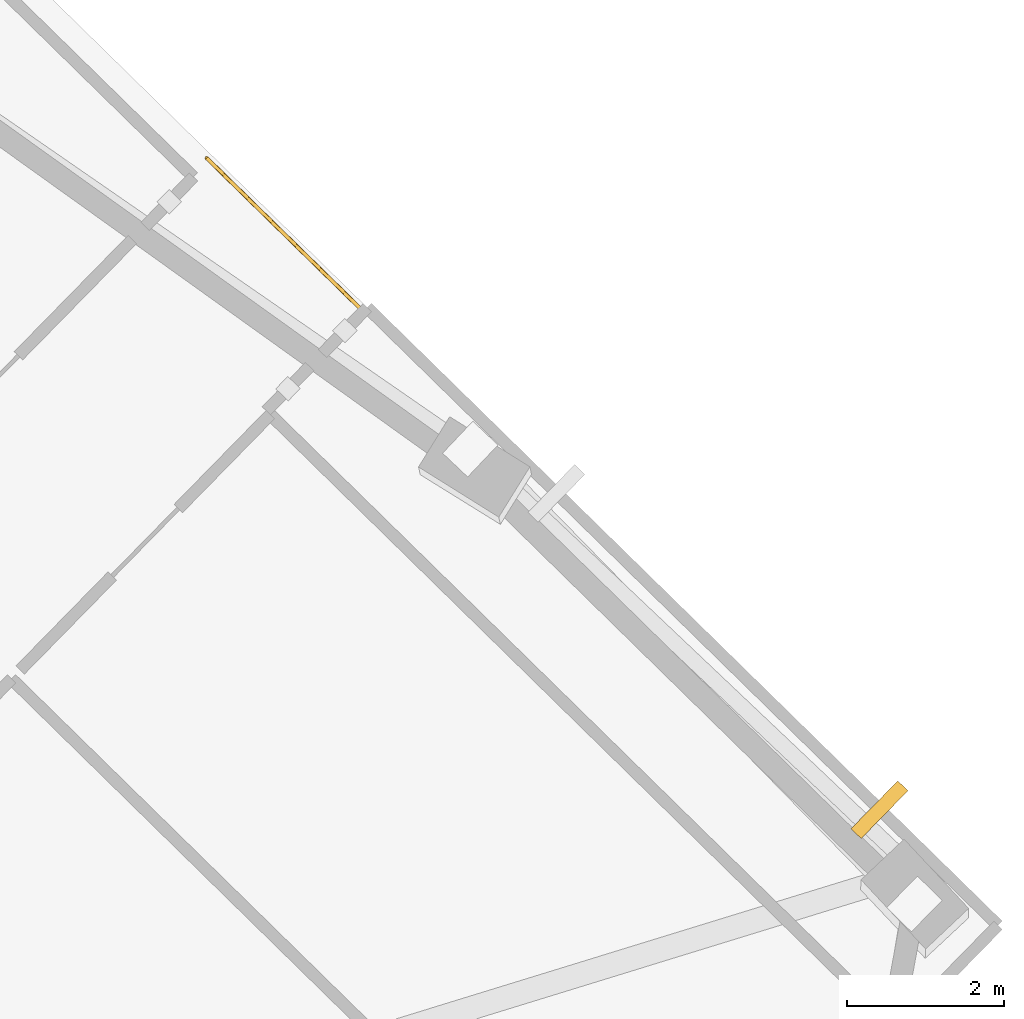
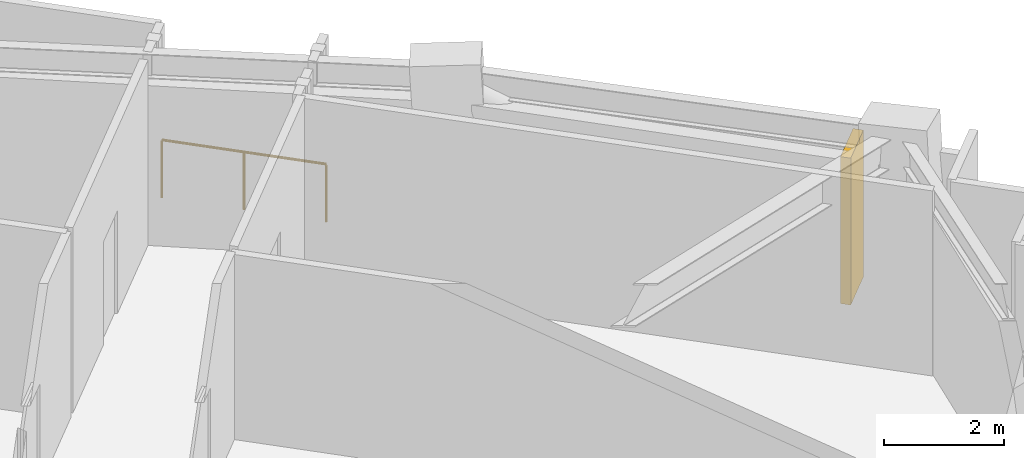
# One storey, part 12 of 12: 1 railing, 1 shading device.
"""IFC4 building model written with IfcOpenShell, lengths in metres."""

from ifc_helpers import new_model, si_unit, direction, frame, origin, origin_2d, place, context, subcontext, project, spatial, rectangle, circle, extrude, material, layer, layer_set, type_object, element, save


model = new_model("IFC4")

# Units and contexts
model_context = context("Model", 3, precision=1e-05, world=origin(), true_north=direction((0.0, 1.0)))
body_context = subcontext(model_context, "Body", "Model", "MODEL_VIEW")
ifc_project = project(units=[si_unit("LENGTHUNIT", "METRE"), si_unit("AREAUNIT", "SQUARE_METRE"), si_unit("VOLUMEUNIT", "CUBIC_METRE"), si_unit("PLANEANGLEUNIT", "RADIAN"), si_unit("MASSUNIT", "GRAM", prefix="KILO")], contexts=[model_context])

# Site, building, storey
site_placement = place(None, origin())
site = spatial("IfcSite", under=ifc_project, at=site_placement, CompositionType="ELEMENT")
building_placement = place(site_placement, origin())
building = spatial("IfcBuilding", under=site, at=building_placement, Name="Gaonmaruhae Medical Tower", CompositionType="ELEMENT")
storey_placement = place(building_placement, frame((0.0, 0.0, 219.199951171875)))
storey = spatial("IfcBuildingStorey", under=building, at=storey_placement, Name="L52", CompositionType="ELEMENT", Elevation=219.199951171875)

# Railing
ifc_material_1 = material(Name="Stainless steel 316L and laminated safety glass", Category="steel")
ifc_layer = layer(ifc_material_1, 0.080078125)
ifc_layer_set = layer_set([ifc_layer], Name="Stainless steel 316L and laminated safety glass")
railing_type = type_object("IfcRailingType", Name="GD-120 Outdoor Terrace Safety Glass & Steel Balustrade", PredefinedType="BALUSTRADE", material=ifc_layer_set)
railing_placement = place(storey_placement, frame((49.72314453125, 32.98681640625, 0.0)))
element("IfcRailing", 1, at=railing_placement, inside=storey, type_object=railing_type, Name="L52 Perimeter Slab Edge Safety Balustrade 02", PredefinedType="BALUSTRADE", context=body_context, shape_type="SweptSolid", body=[
    extrude(circle(Radius=0.02392578125, at=origin_2d()), frame((0.0, 0.0, 1.17578125), z_axis=(0.714464743582, -0.699671444449, 0.0), x_axis=(0.699671444449, 0.714464743582, 0.0)), (0.0, 0.0, 1.0), 2.838623046875),
    extrude(circle(Radius=0.02099609375, at=origin_2d()), origin(), (0.0, 0.0, 1.0), 1.15185546875),
    extrude(circle(Radius=0.02099609375, at=origin_2d()), frame((1.01416015625, -0.9931640625, 0.0)), (0.0, 0.0, 1.0), 1.15185546875),
    extrude(circle(Radius=0.02099609375, at=origin_2d()), frame((2.028076171875, -1.986083984375, 0.0)), (0.0, 0.0, 1.0), 1.15185546875),
])

# Shading device
ifc_material_2 = material(Name="Pigmented coral precast concrete C45/55", Category="concrete")
shading_device_type = type_object("IfcShadingDeviceType", Name="SD-FIN1 Tower Vertical Coral Precast Shading Fin", PredefinedType="USERDEFINED", material=ifc_material_2)
shading_device_placement = place(storey_placement, frame((58.27294921875, 24.705078125, 0.132568359375), z_axis=(0.0, 0.0, 1.0), x_axis=(0.714472679633, -0.699663340513, 0.0)))
element("IfcShadingDevice", 2, at=shading_device_placement, inside=storey, type_object=shading_device_type, Name="L52 Vertical Coral Precast Shading Fin E01B", ObjectType="FIN", PredefinedType="USERDEFINED", context=body_context, shape_type="SweptSolid", body=[
    extrude(rectangle(XDim=0.179931640625, YDim=0.85009765625, at=origin_2d()), origin(), (0.0, 0.0, 1.0), 3.0),
])

save(model, "model.ifc")
